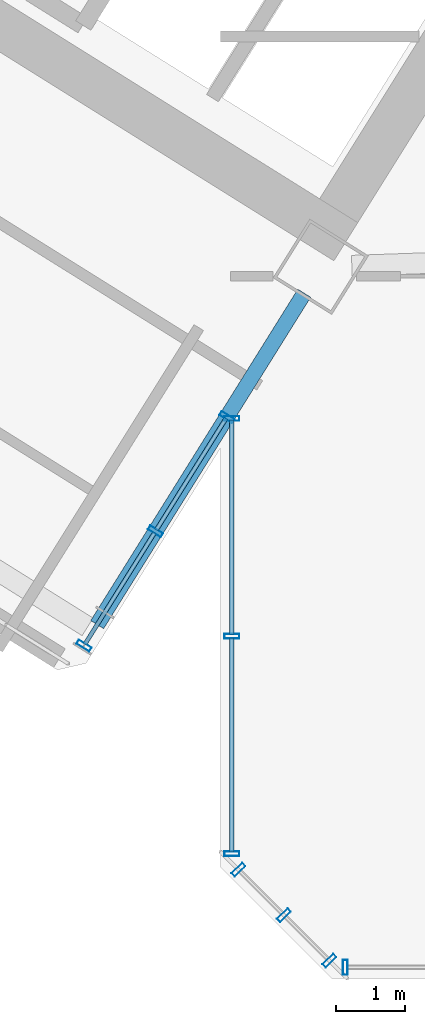
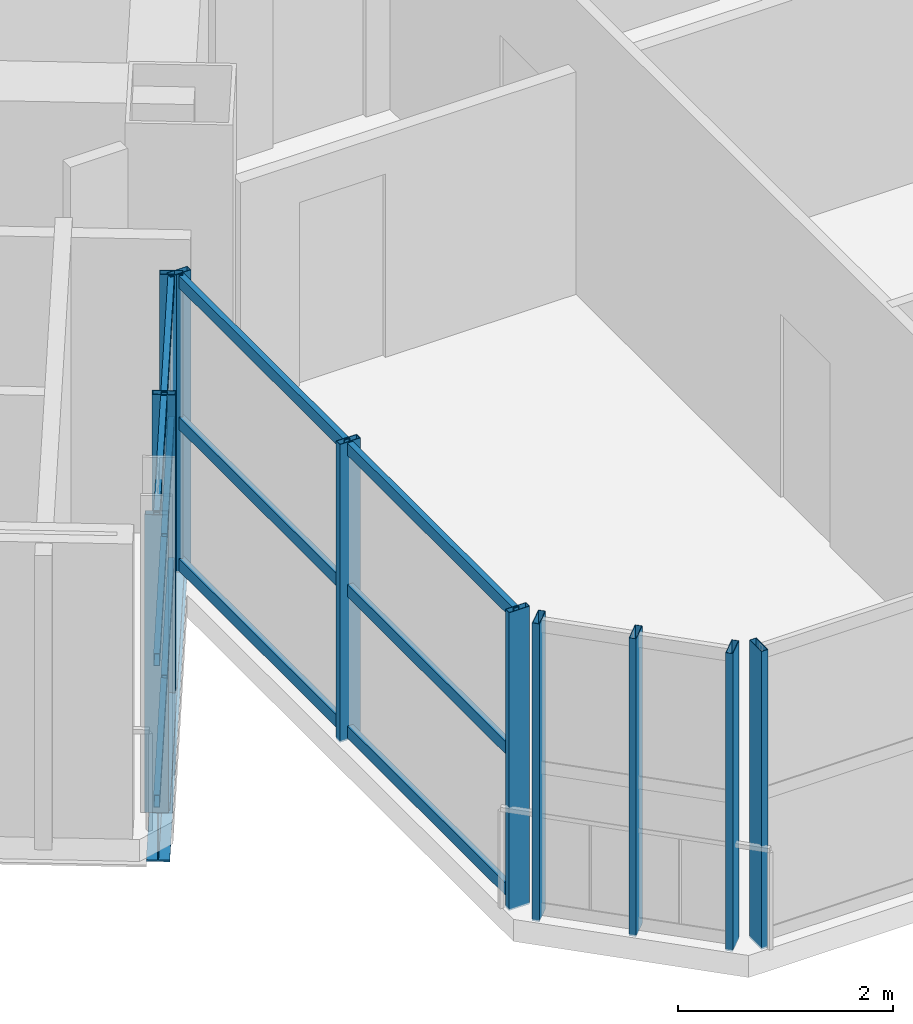
# One storey, part 5 of 28: 22 members, 1 beam, 4 elements without a shape of their own.
"""IFC4 building model written with IfcOpenShell, lengths in metres."""

from ifc_helpers import new_model, si_unit, direction, frame, origin, origin_2d, place, context, subcontext, project, spatial, hollow_rectangle, i_section, extrude, source, transform, mapped, material, material_profile, profile_set, type_object, element, aggregate, save


model = new_model("IFC4")

# Units and contexts
model_context = context("Model", 3, precision=1e-05, world=origin(), true_north=direction((0.0, 1.0)))
body_context = subcontext(model_context, "Body", "Model", "MODEL_VIEW")
ifc_project = project(units=[si_unit("LENGTHUNIT", "METRE"), si_unit("AREAUNIT", "SQUARE_METRE"), si_unit("VOLUMEUNIT", "CUBIC_METRE"), si_unit("PLANEANGLEUNIT", "RADIAN"), si_unit("MASSUNIT", "GRAM", prefix="KILO")], contexts=[model_context])

# Site, building, storey
site_placement = place(None, origin())
site = spatial("IfcSite", under=ifc_project, at=site_placement, CompositionType="ELEMENT")
building_placement = place(site_placement, origin())
building = spatial("IfcBuilding", under=site, at=building_placement, Name="Tlacorven Tower", CompositionType="ELEMENT")
storey_placement = place(building_placement, frame((0.0, 0.0, 27.60009765625)))
storey = spatial("IfcBuildingStorey", under=building, at=storey_placement, Name="L06", CompositionType="ELEMENT", Elevation=27.60009765625)

# Beam
ifc_material_1 = material(Name="Steel S355J2", Category="steel")
ifc_material_profile_1 = material_profile(ifc_material_1, i_section(OverallWidth=0.219970703125, OverallDepth=0.60009765625, WebThickness=0.011962890625, FlangeThickness=0.01904296875, at=origin_2d()), Name="IPE 600")
ifc_profile_set_1 = profile_set([ifc_material_profile_1], Name="Steel S355J2")
beam_type = type_object("IfcBeamType", Name="BM-TWR-600", PredefinedType="BEAM", material=ifc_profile_set_1)
shared_shape_1 = source(origin(), body_context, "Body", "SweptSolid", [
    extrude(i_section(OverallWidth=0.219970703125, OverallDepth=0.60009765625, WebThickness=0.011962890625, FlangeThickness=0.01904296875, at=origin_2d()), origin(), (0.0, 0.0, 1.0), 5.64990234375),
])
beam_placement = place(storey_placement, frame((32.8076171875, 11.705322265625, -0.550048828125), z_axis=(-0.529897948462, -0.848061415356, 0.0), x_axis=(0.848061415356, -0.529897948462, 0.0)))
element("IfcBeam", 1, at=beam_placement, inside=storey, type_object=beam_type, Name="L06 beam BM-L06-WT1-2", PredefinedType="BEAM", context=body_context, shape_type="MappedRepresentation", body=[
    mapped(shared_shape_1, transform((0.0, 0.0, 0.0), scale=1.0)),
])

# Curtain wall, members
ifc_material_2 = material(Name="Dark solar low-E double glazing in aluminium frame", Category="aluminium")
curtain_wall_type = type_object("IfcCurtainWallType", Name="CW-TWR-LOW", PredefinedType="USERDEFINED", material=ifc_material_2)
curtain_wall_1_placement = place(storey_placement, origin())
curtain_wall_1 = element("IfcCurtainWall", 2, at=curtain_wall_1_placement, inside=storey, type_object=curtain_wall_type, Name="L06 CW-TWR-LOW Curtain Wall 30", ObjectType="UNITISED CURTAIN WALL", PredefinedType="USERDEFINED")
ifc_material_3 = material(Name="Aluminium 6063-T6 anodised", Category="aluminium")
ifc_material_profile_2 = material_profile(ifc_material_3, hollow_rectangle(XDim=0.06005859375, YDim=0.139892578125, WallThickness=0.00390625, at=origin_2d()), Name="ALU TRANSOM 60X140")
ifc_profile_set_2 = profile_set([ifc_material_profile_2], Name="Aluminium 6063-T6 anodised")
member_type_1 = type_object("IfcMemberType", Name="CWT-02", PredefinedType="USERDEFINED", material=ifc_profile_set_2)
shared_shape_2 = source(origin(), body_context, "Body", "SweptSolid", [
    extrude(hollow_rectangle(XDim=0.06005859375, YDim=0.139892578125, WallThickness=0.00390625, at=origin_2d()), origin(), (0.0, 0.0, 1.0), 3.10009765625),
])
member_1_placement = place(storey_placement, frame((31.760009765625, 3.624267578125, 0.06982421875), z_axis=(0.0, 1.0, 0.0), x_axis=(-1.0, 0.0, 0.0)))
member_1 = element("IfcMember", 3, at=member_1_placement, type_object=member_type_1, Name="CW-L06-030 Transom 1", ObjectType="TRANSOM", PredefinedType="USERDEFINED", context=body_context, shape_type="MappedRepresentation", body=[
    mapped(shared_shape_2, transform((0.0, 0.0, 0.0), scale=1.0)),
])
member_2_placement = place(storey_placement, frame((31.760009765625, 3.624267578125, 1.6748046875), z_axis=(0.0, 1.0, 0.0), x_axis=(-1.0, 0.0, 0.0)))
member_2 = element("IfcMember", 4, at=member_2_placement, type_object=member_type_1, Name="CW-L06-030 Transom 2", ObjectType="TRANSOM", PredefinedType="USERDEFINED", context=body_context, shape_type="MappedRepresentation", body=[
    mapped(shared_shape_2, transform((0.0, 0.0, 0.0), scale=1.0)),
])
member_3_placement = place(storey_placement, frame((31.760009765625, 3.624267578125, 3.27978515625), z_axis=(0.0, 1.0, 0.0), x_axis=(-1.0, 0.0, 0.0)))
member_3 = element("IfcMember", 5, at=member_3_placement, type_object=member_type_1, Name="CW-L06-030 Transom 3", ObjectType="TRANSOM", PredefinedType="USERDEFINED", context=body_context, shape_type="MappedRepresentation", body=[
    mapped(shared_shape_2, transform((0.0, 0.0, 0.0), scale=1.0)),
])
member_4_placement = place(storey_placement, frame((31.760009765625, 6.7705078125, 0.06982421875), z_axis=(0.0, 1.0, 0.0), x_axis=(-1.0, 0.0, 0.0)))
member_4 = element("IfcMember", 6, at=member_4_placement, type_object=member_type_1, Name="CW-L06-030 Transom 4", ObjectType="TRANSOM", PredefinedType="USERDEFINED", context=body_context, shape_type="MappedRepresentation", body=[
    mapped(shared_shape_2, transform((0.0, 0.0, 0.0), scale=1.0)),
])
member_5_placement = place(storey_placement, frame((31.760009765625, 6.7705078125, 1.6748046875), z_axis=(0.0, 1.0, 0.0), x_axis=(-1.0, 0.0, 0.0)))
member_5 = element("IfcMember", 7, at=member_5_placement, type_object=member_type_1, Name="CW-L06-030 Transom 5", ObjectType="TRANSOM", PredefinedType="USERDEFINED", context=body_context, shape_type="MappedRepresentation", body=[
    mapped(shared_shape_2, transform((0.0, 0.0, 0.0), scale=1.0)),
])
member_6_placement = place(storey_placement, frame((31.760009765625, 6.7705078125, 3.27978515625), z_axis=(0.0, 1.0, 0.0), x_axis=(-1.0, 0.0, 0.0)))
member_6 = element("IfcMember", 8, at=member_6_placement, type_object=member_type_1, Name="CW-L06-030 Transom 6", ObjectType="TRANSOM", PredefinedType="USERDEFINED", context=body_context, shape_type="MappedRepresentation", body=[
    mapped(shared_shape_2, transform((0.0, 0.0, 0.0), scale=1.0)),
])

curtain_wall_2_placement = place(storey_placement, origin())
curtain_wall_2 = element("IfcCurtainWall", 9, at=curtain_wall_2_placement, inside=storey, type_object=curtain_wall_type, Name="L06 CW-TWR-LOW Curtain Wall 31", ObjectType="UNITISED CURTAIN WALL", PredefinedType="USERDEFINED")
shared_shape_3 = source(origin(), body_context, "Body", "SweptSolid", [
    extrude(hollow_rectangle(XDim=0.06005859375, YDim=0.139892578125, WallThickness=0.00390625, at=origin_2d()), origin(), (0.0, 0.0, 1.0), 1.902587890625),
])
member_7_placement = place(storey_placement, frame((31.67626953125, 9.894775390625, 0.06982421875), z_axis=(-0.529848980307, -0.848092010378, 0.0), x_axis=(0.848092010378, -0.529848980307, 0.0)))
member_7 = element("IfcMember", 10, at=member_7_placement, type_object=member_type_1, Name="CW-L06-031 Transom 1", ObjectType="TRANSOM", PredefinedType="USERDEFINED", context=body_context, shape_type="MappedRepresentation", body=[
    mapped(shared_shape_3, transform((0.0, 0.0, 0.0), scale=1.0)),
])
member_8_placement = place(storey_placement, frame((31.67626953125, 9.894775390625, 1.6748046875), z_axis=(-0.529848980307, -0.848092010378, 0.0), x_axis=(0.848092010378, -0.529848980307, 0.0)))
member_8 = element("IfcMember", 11, at=member_8_placement, type_object=member_type_1, Name="CW-L06-031 Transom 2", ObjectType="TRANSOM", PredefinedType="USERDEFINED", context=body_context, shape_type="MappedRepresentation", body=[
    mapped(shared_shape_3, transform((0.0, 0.0, 0.0), scale=1.0)),
])
member_9_placement = place(storey_placement, frame((31.67626953125, 9.894775390625, 3.27978515625), z_axis=(-0.529848980307, -0.848092010378, 0.0), x_axis=(0.848092010378, -0.529848980307, 0.0)))
member_9 = element("IfcMember", 12, at=member_9_placement, type_object=member_type_1, Name="CW-L06-031 Transom 3", ObjectType="TRANSOM", PredefinedType="USERDEFINED", context=body_context, shape_type="MappedRepresentation", body=[
    mapped(shared_shape_3, transform((0.0, 0.0, 0.0), scale=1.0)),
])
shared_shape_4 = source(origin(), body_context, "Body", "SweptSolid", [
    extrude(hollow_rectangle(XDim=0.06005859375, YDim=0.139892578125, WallThickness=0.00390625, at=origin_2d()), origin(), (0.0, 0.0, 1.0), 1.90234375),
])
member_10_placement = place(storey_placement, frame((30.643798828125, 8.242431640625, 0.06982421875), z_axis=(-0.52990664903, -0.84805597888, 0.0), x_axis=(0.84805597888, -0.52990664903, 0.0)))
member_10 = element("IfcMember", 13, at=member_10_placement, type_object=member_type_1, Name="CW-L06-031 Transom 4", ObjectType="TRANSOM", PredefinedType="USERDEFINED", context=body_context, shape_type="MappedRepresentation", body=[
    mapped(shared_shape_4, transform((0.0, 0.0, 0.0), scale=1.0)),
])
member_11_placement = place(storey_placement, frame((30.643798828125, 8.242431640625, 1.6748046875), z_axis=(-0.52990664903, -0.84805597888, 0.0), x_axis=(0.84805597888, -0.52990664903, 0.0)))
member_11 = element("IfcMember", 14, at=member_11_placement, type_object=member_type_1, Name="CW-L06-031 Transom 5", ObjectType="TRANSOM", PredefinedType="USERDEFINED", context=body_context, shape_type="MappedRepresentation", body=[
    mapped(shared_shape_4, transform((0.0, 0.0, 0.0), scale=1.0)),
])
member_12_placement = place(storey_placement, frame((30.643798828125, 8.242431640625, 3.27978515625), z_axis=(-0.52990664903, -0.84805597888, 0.0), x_axis=(0.84805597888, -0.52990664903, 0.0)))
member_12 = element("IfcMember", 15, at=member_12_placement, type_object=member_type_1, Name="CW-L06-031 Transom 6", ObjectType="TRANSOM", PredefinedType="USERDEFINED", context=body_context, shape_type="MappedRepresentation", body=[
    mapped(shared_shape_4, transform((0.0, 0.0, 0.0), scale=1.0)),
])

# Curtain wall, member
curtain_wall_3_placement = place(storey_placement, origin())
curtain_wall_3 = element("IfcCurtainWall", 16, at=curtain_wall_3_placement, inside=storey, type_object=curtain_wall_type, Name="L06 CW-TWR-LOW Curtain Wall 28", ObjectType="UNITISED CURTAIN WALL", PredefinedType="USERDEFINED")
ifc_material_profile_3 = material_profile(ifc_material_3, hollow_rectangle(XDim=0.070068359375, YDim=0.219970703125, WallThickness=0.0048828125, at=origin_2d()), Name="ALU MULLION 70X220")
ifc_profile_set_3 = profile_set([ifc_material_profile_3], Name="Aluminium 6063-T6 anodised")
member_type_2 = type_object("IfcMemberType", Name="CWM-01", PredefinedType="MULLION", material=ifc_profile_set_3)
shared_shape_5 = source(origin(), body_context, "Body", "SweptSolid", [
    extrude(hollow_rectangle(XDim=0.070068359375, YDim=0.219970703125, WallThickness=0.0048828125, at=origin_2d()), origin(), (0.0, 0.0, 1.0), 3.3798828125),
])
member_13_placement = place(storey_placement, frame((33.4013671875, 1.9599609375, -0.02001953125), z_axis=(0.0, 0.0, 1.0), x_axis=(-1.0, 0.0, 0.0)))
member_13 = element("IfcMember", 17, at=member_13_placement, type_object=member_type_2, Name="CW-L06-028 Mullion 4", PredefinedType="MULLION", context=body_context, shape_type="MappedRepresentation", body=[
    mapped(shared_shape_5, transform((0.0, 0.0, 0.0), scale=1.0)),
])
aggregate(curtain_wall_3, [member_13])

# Curtain wall, members
curtain_wall_4_placement = place(storey_placement, origin())
curtain_wall_4 = element("IfcCurtainWall", 18, at=curtain_wall_4_placement, inside=storey, type_object=curtain_wall_type, Name="L06 CW-TWR-LOW Curtain Wall 29", ObjectType="UNITISED CURTAIN WALL", PredefinedType="USERDEFINED")
member_14_placement = place(storey_placement, frame((33.1708984375, 2.055419921875, -0.02001953125), z_axis=(0.0, 0.0, 1.0), x_axis=(-0.707106781187, 0.707106781187, 0.0)))
member_14 = element("IfcMember", 19, at=member_14_placement, type_object=member_type_2, Name="CW-L06-029 Mullion 1", PredefinedType="MULLION", context=body_context, shape_type="MappedRepresentation", body=[
    mapped(shared_shape_5, transform((0.0, 0.0, 0.0), scale=1.0)),
])
member_15_placement = place(storey_placement, frame((32.51318359375, 2.713134765625, -0.02001953125), z_axis=(0.0, 0.0, 1.0), x_axis=(-0.707106781187, 0.707106781187, 0.0)))
member_15 = element("IfcMember", 20, at=member_15_placement, type_object=member_type_2, Name="CW-L06-029 Mullion 2", PredefinedType="MULLION", context=body_context, shape_type="MappedRepresentation", body=[
    mapped(shared_shape_5, transform((0.0, 0.0, 0.0), scale=1.0)),
])
member_16_placement = place(storey_placement, frame((31.85546875, 3.370849609375, -0.02001953125), z_axis=(0.0, 0.0, 1.0), x_axis=(-0.707106781187, 0.707106781187, 0.0)))
member_16 = element("IfcMember", 21, at=member_16_placement, type_object=member_type_2, Name="CW-L06-029 Mullion 3", PredefinedType="MULLION", context=body_context, shape_type="MappedRepresentation", body=[
    mapped(shared_shape_5, transform((0.0, 0.0, 0.0), scale=1.0)),
])
aggregate(curtain_wall_4, [member_14, member_15, member_16])

# Member
member_17_placement = place(storey_placement, frame((31.760009765625, 3.601318359375, -0.02001953125), z_axis=(0.0, 0.0, 1.0), x_axis=(0.0, 1.0, 0.0)))
member_17 = element("IfcMember", 22, at=member_17_placement, type_object=member_type_2, Name="CW-L06-030 Mullion 1", PredefinedType="MULLION", context=body_context, shape_type="MappedRepresentation", body=[
    mapped(shared_shape_5, transform((0.0, 0.0, 0.0), scale=1.0)),
])

member_18_placement = place(storey_placement, frame((31.760009765625, 6.74755859375, -0.02001953125), z_axis=(0.0, 0.0, 1.0), x_axis=(0.0, 1.0, 0.0)))
member_18 = element("IfcMember", 23, at=member_18_placement, type_object=member_type_2, Name="CW-L06-030 Mullion 2", PredefinedType="MULLION", context=body_context, shape_type="MappedRepresentation", body=[
    mapped(shared_shape_5, transform((0.0, 0.0, 0.0), scale=1.0)),
])

member_19_placement = place(storey_placement, frame((31.760009765625, 9.8935546875, -0.02001953125), z_axis=(0.0, 0.0, 1.0), x_axis=(0.0, 1.0, 0.0)))
member_19 = element("IfcMember", 24, at=member_19_placement, type_object=member_type_2, Name="CW-L06-030 Mullion 3", PredefinedType="MULLION", context=body_context, shape_type="MappedRepresentation", body=[
    mapped(shared_shape_5, transform((0.0, 0.0, 0.0), scale=1.0)),
])

aggregate(curtain_wall_1, [member_17, member_18, member_19, member_1, member_2, member_3, member_4, member_5, member_6])

member_20_placement = place(storey_placement, frame((31.6884765625, 9.9140625, -0.02001953125), z_axis=(0.0, 0.0, 1.0), x_axis=(-0.529918710919, -0.848048441905, 0.0)))
member_20 = element("IfcMember", 25, at=member_20_placement, type_object=member_type_2, Name="CW-L06-031 Mullion 1", PredefinedType="MULLION", context=body_context, shape_type="MappedRepresentation", body=[
    mapped(shared_shape_5, transform((0.0, 0.0, 0.0), scale=1.0)),
])

member_21_placement = place(storey_placement, frame((30.656005859375, 8.261962890625, -0.02001953125), z_axis=(0.0, 0.0, 1.0), x_axis=(-0.529918710919, -0.848048441905, 0.0)))
member_21 = element("IfcMember", 26, at=member_21_placement, type_object=member_type_2, Name="CW-L06-031 Mullion 2", PredefinedType="MULLION", context=body_context, shape_type="MappedRepresentation", body=[
    mapped(shared_shape_5, transform((0.0, 0.0, 0.0), scale=1.0)),
])

member_22_placement = place(storey_placement, frame((29.62353515625, 6.609619140625, -0.02001953125), z_axis=(0.0, 0.0, 1.0), x_axis=(-0.529918710919, -0.848048441905, 0.0)))
member_22 = element("IfcMember", 27, at=member_22_placement, type_object=member_type_2, Name="CW-L06-031 Mullion 3", PredefinedType="MULLION", context=body_context, shape_type="MappedRepresentation", body=[
    mapped(shared_shape_5, transform((0.0, 0.0, 0.0), scale=1.0)),
])

aggregate(curtain_wall_2, [member_20, member_21, member_22, member_7, member_8, member_9, member_10, member_11, member_12])

save(model, "model.ifc")
